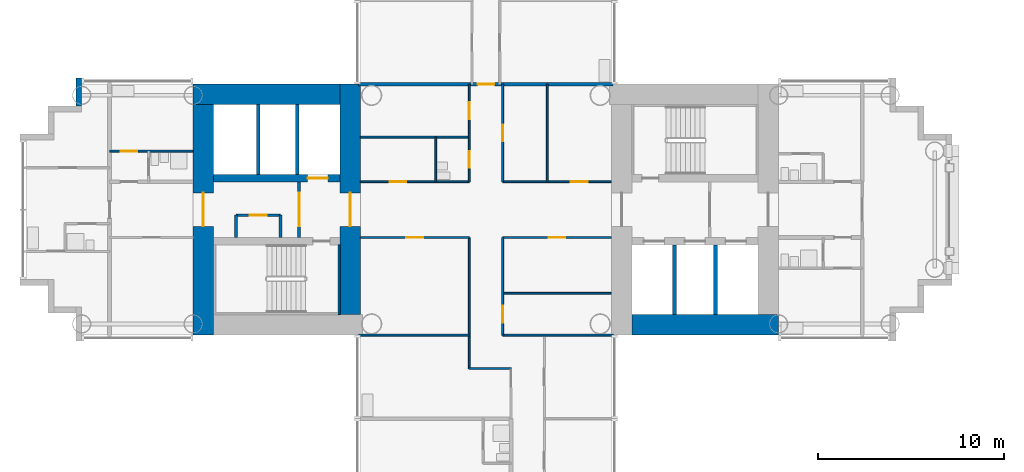
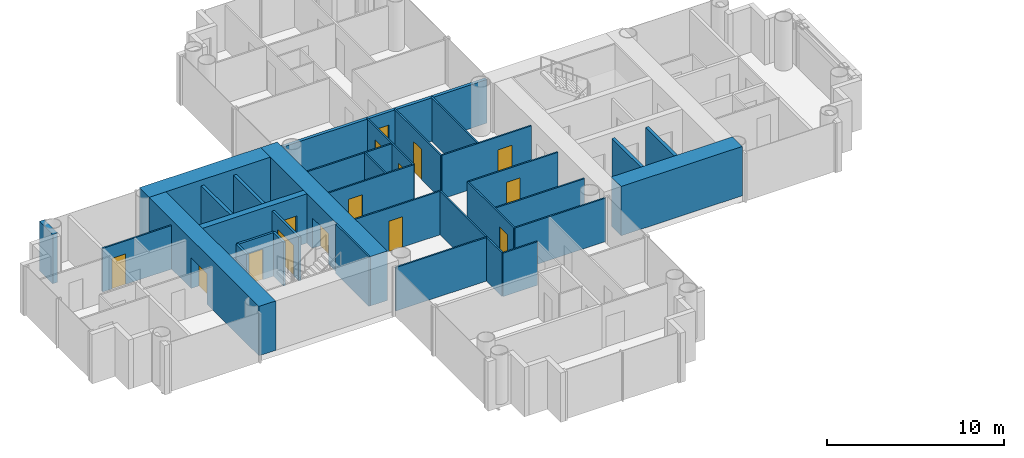
# One storey, part 10 of 22: 32 walls, 15 doors, 15 openings.
"""IFC4 building model written with IfcOpenShell, lengths in metres."""

from ifc_helpers import new_model, si_unit, direction, frame, frame_2d, origin, place, context, subcontext, project, spatial, rectangle, extrude, material, layer, layer_set, type_object, element, fill, save


model = new_model("IFC4")

# Units and contexts
model_context = context("Model", 3, precision=1e-05, world=origin(), true_north=direction((0.0, 1.0)))
body_context = subcontext(model_context, "Body", "Model", "MODEL_VIEW")
ifc_project = project(units=[si_unit("LENGTHUNIT", "METRE"), si_unit("AREAUNIT", "SQUARE_METRE"), si_unit("VOLUMEUNIT", "CUBIC_METRE"), si_unit("PLANEANGLEUNIT", "RADIAN"), si_unit("MASSUNIT", "GRAM", prefix="KILO")], contexts=[model_context])

# Site, building, storey
site_placement = place(None, origin())
site = spatial("IfcSite", under=ifc_project, at=site_placement, CompositionType="ELEMENT")
building_placement = place(site_placement, origin())
building = spatial("IfcBuilding", under=site, at=building_placement, Name="Ipe Terrace Towers", CompositionType="ELEMENT")
storey_placement = place(building_placement, frame((0.0, 0.0, 68.699951171875)))
storey = spatial("IfcBuildingStorey", under=building, at=storey_placement, Name="L18", CompositionType="ELEMENT", Elevation=68.699951171875)

# Walls
ifc_material_1 = material(Name="Concrete C40/50 with buff precast cladding", Category="concrete")
ifc_layer_1 = layer(ifc_material_1, 0.320068359375)
ifc_layer_set_1 = layer_set([ifc_layer_1], Name="BUFF CLADDING WALL 320")
wall_type_1 = type_object("IfcWallType", Name="BUFF CLADDING WALL 320", PredefinedType="STANDARD", material=ifc_layer_set_1)
wall_1_placement = place(storey_placement, frame((-57.909912109375, 7.070068359375, -0.300048828125), z_axis=(0.0, 0.0, 1.0), x_axis=(0.0, -1.0, 0.0)))
element("IfcWall", 1, at=wall_1_placement, inside=storey, type_object=wall_type_1, Name="T1-W-L18-47a wall", PredefinedType="STANDARD", context=body_context, shape_type="SweptSolid", body=[
    extrude(rectangle(XDim=1.5, YDim=0.320068359375, at=frame_2d((0.75, 0.0))), origin(), (0.0, 0.0, 1.0), 3.400146484375),
])
ifc_material_2 = material(Name="Gypsum board partition", Category="plasterboard")
ifc_layer_2 = layer(ifc_material_2, 0.10009765625)
ifc_layer_set_2 = layer_set([ifc_layer_2], Name="Gypsum board partition 100 mm")
wall_type_2 = type_object("IfcWallType", Name="Gypsum board partition 100 mm", PredefinedType="PARTITIONING", material=ifc_layer_set_2)
wall_2_placement = place(storey_placement, frame((-38.699951171875, 1.5, 0.0), z_axis=(0.0, 0.0, 1.0), x_axis=(0.0, 1.0, 0.0)))
element("IfcWall", 2, at=wall_2_placement, inside=storey, type_object=wall_type_2, Name="Gypsum board partition T1 L18 W04", PredefinedType="PARTITIONING", context=body_context, shape_type="SweptSolid", body=[
    extrude(rectangle(XDim=2.39990234375, YDim=0.10009765625, at=frame_2d((1.199951171875, 0.0))), origin(), (0.0, 0.0, 1.0), 3.0),
])
wall_3_placement = place(storey_placement, frame((-36.89990234375, -8.550048828125, 0.0), z_axis=(0.0, 0.0, 1.0), x_axis=(0.0, 1.0, 0.0)))
element("IfcWall", 3, at=wall_3_placement, inside=storey, type_object=wall_type_2, Name="Gypsum board partition T1 L18 W06", PredefinedType="PARTITIONING", context=body_context, shape_type="SweptSolid", body=[
    extrude(rectangle(XDim=7.050048828125, YDim=0.10009765625, at=frame_2d((3.52490234375, 0.0))), origin(), (0.0, 0.0, 1.0), 3.0),
])

# Wall, openings, doors
wall_4_placement = place(storey_placement, frame((-36.89990234375, 1.5, 0.0), z_axis=(0.0, 0.0, 1.0), x_axis=(0.0, 1.0, 0.0)))
wall_4 = element("IfcWall", 4, at=wall_4_placement, inside=storey, type_object=wall_type_2, Name="Gypsum board partition T1 L18 W07", PredefinedType="PARTITIONING", context=body_context, shape_type="SweptSolid", body=[
    extrude(rectangle(XDim=5.25, YDim=0.10009765625, at=frame_2d((2.625, 0.0))), origin(), (0.0, 0.0, 1.0), 3.0),
])
opening_1_placement = place(wall_4_placement, frame((0.75, 0.0, 0.0)))
opening_1 = element("IfcOpeningElement", 5, at=opening_1_placement, cuts=wall_4, Name="Opening T1-Z1F-01", PredefinedType="OPENING", context=body_context, shape_type="SweptSolid", body=[
    extrude(rectangle(XDim=0.89990234375, YDim=2.10009765625, at=frame_2d((0.449951171875, 1.050048828125))), frame((0.0, 0.06005859375, 0.0), z_axis=(0.0, -1.0, 0.0), x_axis=(1.0, 0.0, 0.0)), (0.0, 0.0, 1.0), 0.1201171875),
])
opening_2_placement = place(wall_4_placement, frame((3.375, 0.0, 0.0)))
opening_2 = element("IfcOpeningElement", 6, at=opening_2_placement, cuts=wall_4, Name="Opening T1-Z1F-05", PredefinedType="OPENING", context=body_context, shape_type="SweptSolid", body=[
    extrude(rectangle(XDim=0.89990234375, YDim=2.10009765625, at=frame_2d((0.449951171875, 1.050048828125))), frame((0.0, 0.06005859375, 0.0), z_axis=(0.0, -1.0, 0.0), x_axis=(1.0, 0.0, 0.0)), (0.0, 0.0, 1.0), 0.1201171875),
])
ifc_material_3 = material(Name="Timber door leaf", Category="wood")
door_type_1 = type_object("IfcDoorType", Name="Bathroom door 900 x 2100", OperationType="NOTDEFINED", PredefinedType="DOOR", material=ifc_material_3)
door_1_placement = place(opening_1_placement, origin())
door_1 = element("IfcDoor", 7, at=door_1_placement, inside=storey, type_object=door_type_1, Name="Bathroom door T1-Z1F-01", OperationType="SINGLE_SWING_RIGHT", OverallHeight=2.10009765625, OverallWidth=0.89990234375, PredefinedType="DOOR", context=body_context, shape_type="SweptSolid", body=[
    extrude(rectangle(XDim=0.89990234375, YDim=2.10009765625, at=frame_2d((0.449951171875, 1.050048828125))), frame((0.0, 0.02490234375, 0.0), z_axis=(0.0, -1.0, 0.0), x_axis=(1.0, 0.0, 0.0)), (0.0, 0.0, 1.0), 0.050048828125),
])
fill(opening_1, door_1)
ifc_material_4 = material(Name="Timber door leaf", Category="wood")
door_type_2 = type_object("IfcDoorType", Name="Lounge door 900 x 2100", OperationType="NOTDEFINED", PredefinedType="DOOR", material=ifc_material_4)
door_2_placement = place(opening_2_placement, origin())
door_2 = element("IfcDoor", 8, at=door_2_placement, inside=storey, type_object=door_type_2, Name="Lounge door T1-Z1F-05", OperationType="SINGLE_SWING_LEFT", OverallHeight=2.10009765625, OverallWidth=0.89990234375, PredefinedType="DOOR", context=body_context, shape_type="SweptSolid", body=[
    extrude(rectangle(XDim=0.89990234375, YDim=2.10009765625, at=frame_2d((0.449951171875, 1.050048828125))), frame((0.0, 0.02490234375, 0.0), z_axis=(0.0, -1.0, 0.0), x_axis=(1.0, 0.0, 0.0)), (0.0, 0.0, 1.0), 0.050048828125),
])
fill(opening_2, door_2)

# Wall, opening, door
wall_5_placement = place(storey_placement, frame((-35.10009765625, -6.75, 0.0), z_axis=(0.0, 0.0, 1.0), x_axis=(0.0, 1.0, 0.0)))
wall_5 = element("IfcWall", 9, at=wall_5_placement, inside=storey, type_object=wall_type_2, Name="Gypsum board partition T1 L18 W11", PredefinedType="PARTITIONING", context=body_context, shape_type="SweptSolid", body=[
    extrude(rectangle(XDim=5.25, YDim=0.10009765625, at=frame_2d((2.625, 0.0))), origin(), (0.0, 0.0, 1.0), 3.0),
])
opening_3_placement = place(wall_5_placement, frame((0.675048828125, 0.0, 0.0)))
opening_3 = element("IfcOpeningElement", 10, at=opening_3_placement, cuts=wall_5, Name="Opening T1-Z1F-08", PredefinedType="OPENING", context=body_context, shape_type="SweptSolid", body=[
    extrude(rectangle(XDim=0.89990234375, YDim=2.10009765625, at=frame_2d((0.449951171875, 1.050048828125))), frame((0.0, 0.06005859375, 0.0), z_axis=(0.0, -1.0, 0.0), x_axis=(1.0, 0.0, 0.0)), (0.0, 0.0, 1.0), 0.1201171875),
])
door_3_placement = place(opening_3_placement, origin())
door_3 = element("IfcDoor", 11, at=door_3_placement, inside=storey, type_object=door_type_2, Name="Lounge door T1-Z1F-08", OperationType="SINGLE_SWING_LEFT", OverallHeight=2.10009765625, OverallWidth=0.89990234375, PredefinedType="DOOR", context=body_context, shape_type="SweptSolid", body=[
    extrude(rectangle(XDim=0.89990234375, YDim=2.10009765625, at=frame_2d((0.449951171875, 1.050048828125))), frame((0.0, 0.02490234375, 0.0), z_axis=(0.0, -1.0, 0.0), x_axis=(1.0, 0.0, 0.0)), (0.0, 0.0, 1.0), 0.050048828125),
])
fill(opening_3, door_3)

wall_6_placement = place(storey_placement, frame((-35.10009765625, 1.5, 0.0), z_axis=(0.0, 0.0, 1.0), x_axis=(0.0, 1.0, 0.0)))
wall_6 = element("IfcWall", 12, at=wall_6_placement, inside=storey, type_object=wall_type_2, Name="Gypsum board partition T1 L18 W12", PredefinedType="PARTITIONING", context=body_context, shape_type="SweptSolid", body=[
    extrude(rectangle(XDim=5.25, YDim=0.10009765625, at=frame_2d((2.625, 0.0))), origin(), (0.0, 0.0, 1.0), 3.0),
])
opening_4_placement = place(wall_6_placement, frame((2.175048828125, 0.0, 0.0)))
opening_4 = element("IfcOpeningElement", 13, at=opening_4_placement, cuts=wall_6, Name="Opening T1-Z1F-02", PredefinedType="OPENING", context=body_context, shape_type="SweptSolid", body=[
    extrude(rectangle(XDim=0.89990234375, YDim=2.10009765625, at=frame_2d((0.449951171875, 1.050048828125))), frame((0.0, 0.06005859375, 0.0), z_axis=(0.0, -1.0, 0.0), x_axis=(1.0, 0.0, 0.0)), (0.0, 0.0, 1.0), 0.1201171875),
])
door_4_placement = place(opening_4_placement, origin())
door_4 = element("IfcDoor", 14, at=door_4_placement, inside=storey, type_object=door_type_2, Name="Lounge door T1-Z1F-02", OperationType="SINGLE_SWING_RIGHT", OverallHeight=2.10009765625, OverallWidth=0.89990234375, PredefinedType="DOOR", context=body_context, shape_type="SweptSolid", body=[
    extrude(rectangle(XDim=0.89990234375, YDim=2.10009765625, at=frame_2d((0.449951171875, 1.050048828125))), frame((0.0, 0.02490234375, 0.0), z_axis=(0.0, -1.0, 0.0), x_axis=(1.0, 0.0, 0.0)), (0.0, 0.0, 1.0), 0.050048828125),
])
fill(opening_4, door_4)

# Walls
wall_7_placement = place(storey_placement, frame((-32.699951171875, 1.5, 0.0), z_axis=(0.0, 0.0, 1.0), x_axis=(0.0, 1.0, 0.0)))
element("IfcWall", 15, at=wall_7_placement, inside=storey, type_object=wall_type_2, Name="Gypsum board partition T1 L18 W17", PredefinedType="PARTITIONING", context=body_context, shape_type="SweptSolid", body=[
    extrude(rectangle(XDim=5.25, YDim=0.10009765625, at=frame_2d((2.625, 0.0))), origin(), (0.0, 0.0, 1.0), 3.0),
])
wall_8_placement = place(storey_placement, frame((-36.89990234375, -8.550048828125, 0.0), z_axis=(0.0, 0.0, 1.0), x_axis=(1.0, 0.0, 0.0)))
element("IfcWall", 16, at=wall_8_placement, inside=storey, type_object=wall_type_2, Name="Gypsum board partition T1 L18 W28", PredefinedType="PARTITIONING", context=body_context, shape_type="SweptSolid", body=[
    extrude(rectangle(XDim=2.25, YDim=0.10009765625, at=frame_2d((1.125, 0.0))), origin(), (0.0, 0.0, 1.0), 3.0),
])
for number, where, z_axis, x_axis, name in (
    (17, (-42.85009765625, -6.75, 0.0), (0.0, 0.0, 1.0), (1.0, 0.0, 0.0), "Gypsum board partition T1 L18 W29"),
    (18, (-35.10009765625, -6.75, 0.0), (0.0, 0.0, 1.0), (1.0, 0.0, 0.0), "Gypsum board partition T1 L18 W30"),
):
    element("IfcWall", number, at=place(storey_placement, frame(where, z_axis=z_axis, x_axis=x_axis)), inside=storey, type_object=wall_type_2, Name=name, PredefinedType="PARTITIONING", context=body_context, shape_type="SweptSolid", body=[
        extrude(rectangle(XDim=5.9501953125, YDim=0.10009765625, at=frame_2d((2.97509765625, 0.0))), origin(), (0.0, 0.0, 1.0), 3.0),
    ])
wall_9_placement = place(storey_placement, frame((-35.10009765625, -4.5, 0.0), z_axis=(0.0, 0.0, 1.0), x_axis=(1.0, 0.0, 0.0)))
element("IfcWall", 19, at=wall_9_placement, inside=storey, type_object=wall_type_2, Name="Gypsum board partition T1 L18 W31", PredefinedType="PARTITIONING", context=body_context, shape_type="SweptSolid", body=[
    extrude(rectangle(XDim=5.85009765625, YDim=0.10009765625, at=frame_2d((2.925048828125, 0.0))), origin(), (0.0, 0.0, 1.0), 3.0),
])

# Wall, opening, door
wall_10_placement = place(storey_placement, frame((-42.75, -1.5, 0.0), z_axis=(0.0, 0.0, 1.0), x_axis=(1.0, 0.0, 0.0)))
wall_10 = element("IfcWall", 20, at=wall_10_placement, inside=storey, type_object=wall_type_2, Name="Gypsum board partition T1 L18 W35", PredefinedType="PARTITIONING", context=body_context, shape_type="SweptSolid", body=[
    extrude(rectangle(XDim=5.85009765625, YDim=0.10009765625, at=frame_2d((2.925048828125, 0.0))), origin(), (0.0, 0.0, 1.0), 3.0),
])
opening_5_placement = place(wall_10_placement, frame((2.47509765625, 0.0, 0.0)))
opening_5 = element("IfcOpeningElement", 21, at=opening_5_placement, cuts=wall_10, Name="Opening T1-Z1F-06", PredefinedType="OPENING", context=body_context, shape_type="SweptSolid", body=[
    extrude(rectangle(XDim=0.89990234375, YDim=2.10009765625, at=frame_2d((0.449951171875, 1.050048828125))), frame((0.0, 0.06005859375, 0.0), z_axis=(0.0, -1.0, 0.0), x_axis=(1.0, 0.0, 0.0)), (0.0, 0.0, 1.0), 0.1201171875),
])
door_5_placement = place(opening_5_placement, origin())
door_5 = element("IfcDoor", 22, at=door_5_placement, inside=storey, type_object=door_type_2, Name="Lounge door T1-Z1F-06", OperationType="SINGLE_SWING_LEFT", OverallHeight=2.10009765625, OverallWidth=0.89990234375, PredefinedType="DOOR", context=body_context, shape_type="SweptSolid", body=[
    extrude(rectangle(XDim=0.89990234375, YDim=2.10009765625, at=frame_2d((0.449951171875, 1.050048828125))), frame((0.0, 0.02490234375, 0.0), z_axis=(0.0, -1.0, 0.0), x_axis=(1.0, 0.0, 0.0)), (0.0, 0.0, 1.0), 0.050048828125),
])
fill(opening_5, door_5)

wall_11_placement = place(storey_placement, frame((-35.10009765625, -1.5, 0.0), z_axis=(0.0, 0.0, 1.0), x_axis=(1.0, 0.0, 0.0)))
wall_11 = element("IfcWall", 23, at=wall_11_placement, inside=storey, type_object=wall_type_2, Name="Gypsum board partition T1 L18 W36", PredefinedType="PARTITIONING", context=body_context, shape_type="SweptSolid", body=[
    extrude(rectangle(XDim=5.85009765625, YDim=0.10009765625, at=frame_2d((2.925048828125, 0.0))), origin(), (0.0, 0.0, 1.0), 3.0),
])
opening_6_placement = place(wall_11_placement, frame((2.47509765625, 0.0, 0.0)))
opening_6 = element("IfcOpeningElement", 24, at=opening_6_placement, cuts=wall_11, Name="Opening T1-Z1F-07", PredefinedType="OPENING", context=body_context, shape_type="SweptSolid", body=[
    extrude(rectangle(XDim=0.89990234375, YDim=2.10009765625, at=frame_2d((0.449951171875, 1.050048828125))), frame((0.0, 0.06005859375, 0.0), z_axis=(0.0, -1.0, 0.0), x_axis=(1.0, 0.0, 0.0)), (0.0, 0.0, 1.0), 0.1201171875),
])
door_6_placement = place(opening_6_placement, origin())
door_6 = element("IfcDoor", 25, at=door_6_placement, inside=storey, type_object=door_type_2, Name="Lounge door T1-Z1F-07", OperationType="SINGLE_SWING_RIGHT", OverallHeight=2.10009765625, OverallWidth=0.89990234375, PredefinedType="DOOR", context=body_context, shape_type="SweptSolid", body=[
    extrude(rectangle(XDim=0.89990234375, YDim=2.10009765625, at=frame_2d((0.449951171875, 1.050048828125))), frame((0.0, 0.02490234375, 0.0), z_axis=(0.0, -1.0, 0.0), x_axis=(1.0, 0.0, 0.0)), (0.0, 0.0, 1.0), 0.050048828125),
])
fill(opening_6, door_6)

wall_12_placement = place(storey_placement, frame((-42.75, 1.5, 0.0), z_axis=(0.0, 0.0, 1.0), x_axis=(1.0, 0.0, 0.0)))
wall_12 = element("IfcWall", 26, at=wall_12_placement, inside=storey, type_object=wall_type_2, Name="Gypsum board partition T1 L18 W39", PredefinedType="PARTITIONING", context=body_context, shape_type="SweptSolid", body=[
    extrude(rectangle(XDim=5.85009765625, YDim=0.10009765625, at=frame_2d((2.925048828125, 0.0))), origin(), (0.0, 0.0, 1.0), 3.0),
])
opening_7_placement = place(wall_12_placement, frame((1.574951171875, 0.0, 0.0)))
opening_7 = element("IfcOpeningElement", 27, at=opening_7_placement, cuts=wall_12, Name="Opening T1-Z1F-04", PredefinedType="OPENING", context=body_context, shape_type="SweptSolid", body=[
    extrude(rectangle(XDim=0.89990234375, YDim=2.10009765625, at=frame_2d((0.449951171875, 1.050048828125))), frame((0.0, 0.06005859375, 0.0), z_axis=(0.0, -1.0, 0.0), x_axis=(1.0, 0.0, 0.0)), (0.0, 0.0, 1.0), 0.1201171875),
])
door_7_placement = place(opening_7_placement, origin())
door_7 = element("IfcDoor", 28, at=door_7_placement, inside=storey, type_object=door_type_2, Name="Lounge door T1-Z1F-04", OperationType="SINGLE_SWING_RIGHT", OverallHeight=2.10009765625, OverallWidth=0.89990234375, PredefinedType="DOOR", context=body_context, shape_type="SweptSolid", body=[
    extrude(rectangle(XDim=0.89990234375, YDim=2.10009765625, at=frame_2d((0.449951171875, 1.050048828125))), frame((0.0, 0.02490234375, 0.0), z_axis=(0.0, -1.0, 0.0), x_axis=(1.0, 0.0, 0.0)), (0.0, 0.0, 1.0), 0.050048828125),
])
fill(opening_7, door_7)

wall_13_placement = place(storey_placement, frame((-35.10009765625, 1.5, 0.0), z_axis=(0.0, 0.0, 1.0), x_axis=(1.0, 0.0, 0.0)))
wall_13 = element("IfcWall", 29, at=wall_13_placement, inside=storey, type_object=wall_type_2, Name="Gypsum board partition T1 L18 W40", PredefinedType="PARTITIONING", context=body_context, shape_type="SweptSolid", body=[
    extrude(rectangle(XDim=5.85009765625, YDim=0.10009765625, at=frame_2d((2.925048828125, 0.0))), origin(), (0.0, 0.0, 1.0), 3.0),
])
opening_8_placement = place(wall_13_placement, frame((3.675048828125, 0.0, 0.0)))
opening_8 = element("IfcOpeningElement", 30, at=opening_8_placement, cuts=wall_13, Name="Opening T1-Z1F-03", PredefinedType="OPENING", context=body_context, shape_type="SweptSolid", body=[
    extrude(rectangle(XDim=0.89990234375, YDim=2.10009765625, at=frame_2d((0.449951171875, 1.050048828125))), frame((0.0, 0.06005859375, 0.0), z_axis=(0.0, -1.0, 0.0), x_axis=(1.0, 0.0, 0.0)), (0.0, 0.0, 1.0), 0.1201171875),
])
door_8_placement = place(opening_8_placement, origin())
door_8 = element("IfcDoor", 31, at=door_8_placement, inside=storey, type_object=door_type_2, Name="Lounge door T1-Z1F-03", OperationType="SINGLE_SWING_LEFT", OverallHeight=2.10009765625, OverallWidth=0.89990234375, PredefinedType="DOOR", context=body_context, shape_type="SweptSolid", body=[
    extrude(rectangle(XDim=0.89990234375, YDim=2.10009765625, at=frame_2d((0.449951171875, 1.050048828125))), frame((0.0, 0.02490234375, 0.0), z_axis=(0.0, -1.0, 0.0), x_axis=(1.0, 0.0, 0.0)), (0.0, 0.0, 1.0), 0.050048828125),
])
fill(opening_8, door_8)

wall_14_placement = place(storey_placement, frame((-56.25, 3.14990234375, 0.0), z_axis=(0.0, 0.0, 1.0), x_axis=(1.0, 0.0, 0.0)))
wall_14 = element("IfcWall", 32, at=wall_14_placement, inside=storey, type_object=wall_type_2, Name="Gypsum board partition T1 L18 W45", PredefinedType="PARTITIONING", context=body_context, shape_type="SweptSolid", body=[
    extrude(rectangle(XDim=4.5, YDim=0.10009765625, at=frame_2d((2.25, 0.0))), origin(), (0.0, 0.0, 1.0), 3.0),
])
opening_9_placement = place(wall_14_placement, frame((0.60009765625, 0.0, 0.0)))
opening_9 = element("IfcOpeningElement", 33, at=opening_9_placement, cuts=wall_14, Name="Opening T1-Z1F-33", PredefinedType="OPENING", context=body_context, shape_type="SweptSolid", body=[
    extrude(rectangle(XDim=0.89990234375, YDim=2.10009765625, at=frame_2d((0.449951171875, 1.050048828125))), frame((0.0, 0.06005859375, 0.0), z_axis=(0.0, -1.0, 0.0), x_axis=(1.0, 0.0, 0.0)), (0.0, 0.0, 1.0), 0.1201171875),
])
ifc_material_5 = material(Name="Timber door leaf", Category="wood")
door_type_3 = type_object("IfcDoorType", Name="Bedroom door 900 x 2100", OperationType="NOTDEFINED", PredefinedType="DOOR", material=ifc_material_5)
door_9_placement = place(opening_9_placement, origin())
door_9 = element("IfcDoor", 34, at=door_9_placement, inside=storey, type_object=door_type_3, Name="Bedroom door T1-Z1F-33", OperationType="SINGLE_SWING_RIGHT", OverallHeight=2.10009765625, OverallWidth=0.89990234375, PredefinedType="DOOR", context=body_context, shape_type="SweptSolid", body=[
    extrude(rectangle(XDim=0.89990234375, YDim=2.10009765625, at=frame_2d((0.449951171875, 1.050048828125))), frame((0.0, 0.02490234375, 0.0), z_axis=(0.0, -1.0, 0.0), x_axis=(1.0, 0.0, 0.0)), (0.0, 0.0, 1.0), 0.050048828125),
])
fill(opening_9, door_9)

# Wall
wall_15_placement = place(storey_placement, frame((-42.75, 3.89990234375, 0.0), z_axis=(0.0, 0.0, 1.0), x_axis=(1.0, 0.0, 0.0)))
element("IfcWall", 35, at=wall_15_placement, inside=storey, type_object=wall_type_2, Name="Gypsum board partition T1 L18 W46", PredefinedType="PARTITIONING", context=body_context, shape_type="SweptSolid", body=[
    extrude(rectangle(XDim=5.85009765625, YDim=0.10009765625, at=frame_2d((2.925048828125, 0.0))), origin(), (0.0, 0.0, 1.0), 3.0),
])

# Wall, opening, door
ifc_material_6 = material(Name="Gypsum board partition", Category="plasterboard")
ifc_layer_3 = layer(ifc_material_6, 0.14990234375)
ifc_layer_set_3 = layer_set([ifc_layer_3], Name="Gypsum board partition 150 mm")
wall_type_3 = type_object("IfcWallType", Name="Gypsum board partition 150 mm", PredefinedType="PARTITIONING", material=ifc_layer_set_3)
wall_16_placement = place(storey_placement, frame((-46.050048828125, 1.5, 0.0), z_axis=(0.0, 0.0, 1.0), x_axis=(0.0, -1.0, 0.0)))
wall_16 = element("IfcWall", 36, at=wall_16_placement, inside=storey, type_object=wall_type_3, Name="Gypsum board partition T1 L18 t1c2-lobby-wall", PredefinedType="PARTITIONING", context=body_context, shape_type="SweptSolid", body=[
    extrude(rectangle(XDim=3.0, YDim=0.14990234375, at=frame_2d((1.5, 0.0))), origin(), (0.0, 0.0, 1.0), 3.0),
])
opening_10_placement = place(wall_16_placement, frame((0.60009765625, 0.0, 0.0)))
opening_10 = element("IfcOpeningElement", 37, at=opening_10_placement, cuts=wall_16, Name="Opening T1C2-VD", PredefinedType="OPENING", context=body_context, shape_type="SweptSolid", body=[
    extrude(rectangle(XDim=1.800048828125, YDim=2.10009765625, at=frame_2d((0.89990234375, 1.050048828125))), frame((0.0, 0.0849609375, 0.0), z_axis=(0.0, -1.0, 0.0), x_axis=(1.0, 0.0, 0.0)), (0.0, 0.0, 1.0), 0.169921875),
])
ifc_material_7 = material(Name="Fire-rated timber door leaf", Category="wood")
door_type_4 = type_object("IfcDoorType", Name="Lobby door 1800 x 2100 FD60", OperationType="NOTDEFINED", PredefinedType="DOOR", material=ifc_material_7)
door_10_placement = place(opening_10_placement, origin())
door_10 = element("IfcDoor", 38, at=door_10_placement, inside=storey, type_object=door_type_4, Name="Lobby door T1C2-VD", OperationType="SINGLE_SWING_LEFT", OverallHeight=2.10009765625, OverallWidth=1.800048828125, PredefinedType="DOOR", context=body_context, shape_type="SweptSolid", body=[
    extrude(rectangle(XDim=1.800048828125, YDim=2.10009765625, at=frame_2d((0.89990234375, 1.050048828125))), frame((0.0, 0.02490234375, 0.0), z_axis=(0.0, -1.0, 0.0), x_axis=(1.0, 0.0, 0.0)), (0.0, 0.0, 1.0), 0.050048828125),
])
fill(opening_10, door_10)

wall_17_placement = place(storey_placement, frame((-47.050048828125, -0.300048828125, 0.0), z_axis=(0.0, 0.0, 1.0), x_axis=(-1.0, 0.0, 0.0)))
wall_17 = element("IfcWall", 39, at=wall_17_placement, inside=storey, type_object=wall_type_3, Name="Gypsum board partition T1 L18 t1c2-cup-n-f", PredefinedType="PARTITIONING", context=body_context, shape_type="SweptSolid", body=[
    extrude(rectangle(XDim=2.39990234375, YDim=0.14990234375, at=frame_2d((1.199951171875, 0.0))), origin(), (0.0, 0.0, 1.0), 3.0),
])
opening_11_placement = place(wall_17_placement, frame((0.75, 0.0, 0.0)))
opening_11 = element("IfcOpeningElement", 40, at=opening_11_placement, cuts=wall_17, Name="Opening T1C2-SR", PredefinedType="OPENING", context=body_context, shape_type="SweptSolid", body=[
    extrude(rectangle(XDim=0.89990234375, YDim=2.10009765625, at=frame_2d((0.449951171875, 1.050048828125))), frame((0.0, 0.0849609375, 0.0), z_axis=(0.0, -1.0, 0.0), x_axis=(1.0, 0.0, 0.0)), (0.0, 0.0, 1.0), 0.169921875),
])
ifc_material_8 = material(Name="Fire-rated timber door leaf", Category="wood")
door_type_5 = type_object("IfcDoorType", Name="Service door 900 x 2100 FD60", OperationType="NOTDEFINED", PredefinedType="DOOR", material=ifc_material_8)
door_11_placement = place(opening_11_placement, origin())
door_11 = element("IfcDoor", 41, at=door_11_placement, inside=storey, type_object=door_type_5, Name="Service door T1C2-SR", OperationType="SINGLE_SWING_LEFT", OverallHeight=2.10009765625, OverallWidth=0.89990234375, PredefinedType="DOOR", context=body_context, shape_type="SweptSolid", body=[
    extrude(rectangle(XDim=0.89990234375, YDim=2.10009765625, at=frame_2d((0.449951171875, 1.050048828125))), frame((0.0, 0.02490234375, 0.0), z_axis=(0.0, -1.0, 0.0), x_axis=(1.0, 0.0, 0.0)), (0.0, 0.0, 1.0), 0.050048828125),
])
fill(opening_11, door_11)

# Walls
for number, where, z_axis, x_axis, name in (
    (42, (-47.050048828125, -0.300048828125, 0.0), (0.0, 0.0, 1.0), (0.0, -1.0, 0.0), "Gypsum board partition T1 L18 t1c2-cup-n-a"),
    (43, (-49.449951171875, -0.300048828125, 0.0), (0.0, 0.0, 1.0), (0.0, -1.0, 0.0), "Gypsum board partition T1 L18 t1c2-cup-n-b"),
):
    element("IfcWall", number, at=place(storey_placement, frame(where, z_axis=z_axis, x_axis=x_axis)), inside=storey, type_object=wall_type_3, Name=name, PredefinedType="PARTITIONING", context=body_context, shape_type="SweptSolid", body=[
        extrude(rectangle(XDim=1.199951171875, YDim=0.14990234375, at=frame_2d((0.60009765625, 0.0))), origin(), (0.0, 0.0, 1.0), 3.0),
    ])
ifc_material_9 = material(Name="Gypsum board party wall", Category="plasterboard")
ifc_layer_4 = layer(ifc_material_9, 0.199951171875)
ifc_layer_set_4 = layer_set([ifc_layer_4], Name="Gypsum board party wall 200 mm")
wall_type_4 = type_object("IfcWallType", Name="Gypsum board party wall 200 mm", PredefinedType="SOLIDWALL", material=ifc_layer_set_4)
for number, where, z_axis, x_axis, name in (
    (44, (-25.85009765625, -5.64990234375, 0.0), (0.0, 0.0, 1.0), (0.0, 1.0, 0.0), "Gypsum board party wall T1 L18 t1c1-shaft-div1"),
    (45, (-23.64990234375, -5.64990234375, 0.0), (0.0, 0.0, 1.0), (0.0, 1.0, 0.0), "Gypsum board party wall T1 L18 t1c1-shaft-div2"),
    (46, (-46.14990234375, 5.64990234375, 0.0), (0.0, 0.0, 1.0), (0.0, -1.0, 0.0), "Gypsum board party wall T1 L18 t1c2-shaft-div1"),
    (47, (-48.25, 5.64990234375, 0.0), (0.0, 0.0, 1.0), (0.0, -1.0, 0.0), "Gypsum board party wall T1 L18 t1c2-shaft-div2"),
):
    element("IfcWall", number, at=place(storey_placement, frame(where, z_axis=z_axis, x_axis=x_axis)), inside=storey, type_object=wall_type_4, Name=name, PredefinedType="SOLIDWALL", context=body_context, shape_type="SweptSolid", body=[
        extrude(rectangle(XDim=3.75, YDim=0.199951171875, at=frame_2d((1.875, 0.0))), origin(), (0.0, 0.0, 1.0), 3.0),
    ])

# Wall, opening, door
wall_18_placement = place(storey_placement, frame((-42.85009765625, 6.75, 0.0), z_axis=(0.0, 0.0, 1.0), x_axis=(1.0, 0.0, 0.0)))
wall_18 = element("IfcWall", 48, at=wall_18_placement, inside=storey, type_object=wall_type_4, Name="Gypsum board party wall T1 L18 W47", PredefinedType="SOLIDWALL", context=body_context, shape_type="SweptSolid", body=[
    extrude(rectangle(XDim=13.7001953125, YDim=0.199951171875, at=frame_2d((6.85009765625, 0.0))), origin(), (0.0, 0.0, 1.0), 3.0),
])
opening_12_placement = place(wall_18_placement, frame((6.39990234375, 0.0, 0.0)))
opening_12 = element("IfcOpeningElement", 49, at=opening_12_placement, cuts=wall_18, Name="Opening T1-Z1F-11", PredefinedType="OPENING", context=body_context, shape_type="SweptSolid", body=[
    extrude(rectangle(XDim=0.89990234375, YDim=2.10009765625, at=frame_2d((0.449951171875, 1.050048828125))), frame((0.0, 0.10986328125, 0.0), z_axis=(0.0, -1.0, 0.0), x_axis=(1.0, 0.0, 0.0)), (0.0, 0.0, 1.0), 0.219970703125),
])
ifc_material_10 = material(Name="Fire-rated timber door leaf", Category="wood")
door_type_6 = type_object("IfcDoorType", Name="Flat entrance door 900 x 2100 FD30S", OperationType="NOTDEFINED", PredefinedType="DOOR", material=ifc_material_10)
door_12_placement = place(opening_12_placement, origin())
door_12 = element("IfcDoor", 50, at=door_12_placement, inside=storey, type_object=door_type_6, Name="Flat entrance door T1-Z1F-11", OperationType="SINGLE_SWING_LEFT", OverallHeight=2.10009765625, OverallWidth=0.89990234375, PredefinedType="DOOR", context=body_context, shape_type="SweptSolid", body=[
    extrude(rectangle(XDim=0.89990234375, YDim=2.10009765625, at=frame_2d((0.449951171875, 1.050048828125))), frame((0.0, 0.02490234375, 0.0), z_axis=(0.0, -1.0, 0.0), x_axis=(1.0, 0.0, 0.0)), (0.0, 0.0, 1.0), 0.050048828125),
])
fill(opening_12, door_12)

# Walls
ifc_material_11 = material(Name="Concrete C60/75", Category="concrete")
ifc_layer_5 = layer(ifc_material_11, 0.10009765625)
ifc_layer_set_5 = layer_set([ifc_layer_5], Name="RW100 CORE INFILL WALL 100 C60-75")
wall_type_5 = type_object("IfcWallType", Name="RW100 CORE INFILL WALL 100 C60-75", PredefinedType="SHEAR", material=ifc_layer_set_5)
wall_19_placement = place(storey_placement, frame((-43.89990234375, -1.89990234375, 0.0), z_axis=(0.0, 0.0, 1.0), x_axis=(0.0, -1.0, 0.0)))
element("IfcWall", 51, at=wall_19_placement, inside=storey, type_object=wall_type_5, Name="Core infill wall T1-C2-near", PredefinedType="SHEAR", context=body_context, shape_type="SweptSolid", body=[
    extrude(rectangle(XDim=3.75, YDim=0.10009765625, at=frame_2d((1.875, 0.0))), origin(), (0.0, 0.0, 1.0), 3.400146484375),
])
ifc_material_12 = material(Name="Concrete C60/75", Category="concrete")
ifc_layer_6 = layer(ifc_material_12, 1.10009765625)
ifc_layer_set_6 = layer_set([ifc_layer_6], Name="RW1100 CORE WALL 1100 C60-75")
wall_type_6 = type_object("IfcWallType", Name="RW1100 CORE WALL 1100 C60-75", PredefinedType="SHEAR", material=ifc_layer_set_6)
wall_20_placement = place(storey_placement, frame((-28.14990234375, -6.199951171875, 0.0), z_axis=(0.0, 0.0, 1.0), x_axis=(1.0, 0.0, 0.0)))
element("IfcWall", 52, at=wall_20_placement, inside=storey, type_object=wall_type_6, Name="Core wall T1-C1-Z1-W01", PredefinedType="SHEAR", context=body_context, shape_type="SweptSolid", body=[
    extrude(rectangle(XDim=7.89990234375, YDim=1.10009765625, at=frame_2d((3.949951171875, 0.0))), origin(), (0.0, 0.0, 1.0), 3.400146484375),
])

# Wall, opening, door
wall_21_placement = place(storey_placement, frame((-43.300048828125, -5.64990234375, 0.0), z_axis=(0.0, 0.0, 1.0), x_axis=(0.0, 1.0, 0.0)))
wall_21 = element("IfcWall", 53, at=wall_21_placement, inside=storey, type_object=wall_type_6, Name="Core wall T1-C2-Z1-W02", PredefinedType="SHEAR", context=body_context, shape_type="SweptSolid", body=[
    extrude(rectangle(XDim=12.39990234375, YDim=1.10009765625, at=frame_2d((6.199951171875, 0.0))), origin(), (0.0, 0.0, 1.0), 3.400146484375),
])
opening_13_placement = place(wall_21_placement, frame((4.75, 0.0, 0.0)))
opening_13 = element("IfcOpeningElement", 54, at=opening_13_placement, cuts=wall_21, Name="Opening T1C2-ND", PredefinedType="OPENING", context=body_context, shape_type="SweptSolid", body=[
    extrude(rectangle(XDim=1.800048828125, YDim=2.10009765625, at=frame_2d((0.89990234375, 1.050048828125))), frame((0.0, 0.56005859375, 0.0), z_axis=(0.0, -1.0, 0.0), x_axis=(1.0, 0.0, 0.0)), (0.0, 0.0, 1.0), 1.1201171875),
])
ifc_material_13 = material(Name="Fire-rated timber door leaf", Category="wood")
door_type_7 = type_object("IfcDoorType", Name="Fire door 1800 x 2100 FD30S", OperationType="NOTDEFINED", PredefinedType="DOOR", material=ifc_material_13)
door_13_placement = place(opening_13_placement, origin())
door_13 = element("IfcDoor", 55, at=door_13_placement, inside=storey, type_object=door_type_7, Name="Fire door T1C2-ND", OperationType="SINGLE_SWING_LEFT", OverallHeight=2.10009765625, OverallWidth=1.800048828125, PredefinedType="DOOR", context=body_context, shape_type="SweptSolid", body=[
    extrude(rectangle(XDim=1.800048828125, YDim=2.10009765625, at=frame_2d((0.89990234375, 1.050048828125))), frame((0.0, 0.02490234375, 0.0), z_axis=(0.0, -1.0, 0.0), x_axis=(1.0, 0.0, 0.0)), (0.0, 0.0, 1.0), 0.050048828125),
])
fill(opening_13, door_13)

# Wall
wall_22_placement = place(storey_placement, frame((-43.85009765625, 6.199951171875, 0.0), z_axis=(0.0, 0.0, 1.0), x_axis=(-1.0, 0.0, 0.0)))
element("IfcWall", 56, at=wall_22_placement, inside=storey, type_object=wall_type_6, Name="Core wall T1-C2-Z1-W03", PredefinedType="SHEAR", context=body_context, shape_type="SweptSolid", body=[
    extrude(rectangle(XDim=7.89990234375, YDim=1.10009765625, at=frame_2d((3.949951171875, 0.0))), origin(), (0.0, 0.0, 1.0), 3.400146484375),
])

# Wall, opening, door
wall_23_placement = place(storey_placement, frame((-51.199951171875, 5.64990234375, 0.0), z_axis=(0.0, 0.0, 1.0), x_axis=(0.0, -1.0, 0.0)))
wall_23 = element("IfcWall", 57, at=wall_23_placement, inside=storey, type_object=wall_type_6, Name="Core wall T1-C2-Z1-W04", PredefinedType="SHEAR", context=body_context, shape_type="SweptSolid", body=[
    extrude(rectangle(XDim=12.39990234375, YDim=1.10009765625, at=frame_2d((6.199951171875, 0.0))), origin(), (0.0, 0.0, 1.0), 3.400146484375),
])
opening_14_placement = place(wall_23_placement, frame((4.75, 0.0, 0.0)))
opening_14 = element("IfcOpeningElement", 58, at=opening_14_placement, cuts=wall_23, Name="Opening T1C2-FD", PredefinedType="OPENING", context=body_context, shape_type="SweptSolid", body=[
    extrude(rectangle(XDim=1.800048828125, YDim=2.10009765625, at=frame_2d((0.89990234375, 1.050048828125))), frame((0.0, 0.56005859375, 0.0), z_axis=(0.0, -1.0, 0.0), x_axis=(1.0, 0.0, 0.0)), (0.0, 0.0, 1.0), 1.1201171875),
])
door_14_placement = place(opening_14_placement, origin())
door_14 = element("IfcDoor", 59, at=door_14_placement, inside=storey, type_object=door_type_7, Name="Fire door T1C2-FD", OperationType="SINGLE_SWING_LEFT", OverallHeight=2.10009765625, OverallWidth=1.800048828125, PredefinedType="DOOR", context=body_context, shape_type="SweptSolid", body=[
    extrude(rectangle(XDim=1.800048828125, YDim=2.10009765625, at=frame_2d((0.89990234375, 1.050048828125))), frame((0.0, 0.02490234375, 0.0), z_axis=(0.0, -1.0, 0.0), x_axis=(1.0, 0.0, 0.0)), (0.0, 0.0, 1.0), 0.050048828125),
])
fill(opening_14, door_14)

ifc_material_14 = material(Name="Concrete C60/75", Category="concrete")
ifc_layer_7 = layer(ifc_material_14, 0.39990234375)
ifc_layer_set_7 = layer_set([ifc_layer_7], Name="RW400 CORE SPINE WALL 400 C60-75")
wall_type_7 = type_object("IfcWallType", Name="RW400 CORE SPINE WALL 400 C60-75", PredefinedType="SHEAR", material=ifc_layer_set_7)
wall_24_placement = place(storey_placement, frame((-50.64990234375, 1.699951171875, 0.0), z_axis=(0.0, 0.0, 1.0), x_axis=(1.0, 0.0, 0.0)))
wall_24 = element("IfcWall", 60, at=wall_24_placement, inside=storey, type_object=wall_type_7, Name="Core spine wall T1-C2-Z1-SW2", PredefinedType="SHEAR", context=body_context, shape_type="SweptSolid", body=[
    extrude(rectangle(XDim=6.7998046875, YDim=0.39990234375, at=frame_2d((3.39990234375, 0.0))), origin(), (0.0, 0.0, 1.0), 3.400146484375),
])
opening_15_placement = place(wall_24_placement, frame((5.050048828125, 0.0, 0.0)))
opening_15 = element("IfcOpeningElement", 61, at=opening_15_placement, cuts=wall_24, Name="Opening T1C2-LD1", PredefinedType="OPENING", context=body_context, shape_type="SweptSolid", body=[
    extrude(rectangle(XDim=1.10009765625, YDim=2.10009765625, at=frame_2d((0.550048828125, 1.050048828125))), frame((0.0, 0.2099609375, 0.0), z_axis=(0.0, -1.0, 0.0), x_axis=(1.0, 0.0, 0.0)), (0.0, 0.0, 1.0), 0.419921875),
])
ifc_material_15 = material(Name="Fire-rated timber door leaf", Category="wood")
door_type_8 = type_object("IfcDoorType", Name="Sliding door 1100 x 2100 FD60", OperationType="SLIDING_TO_LEFT", PredefinedType="DOOR", material=ifc_material_15)
door_15_placement = place(opening_15_placement, origin())
door_15 = element("IfcDoor", 62, at=door_15_placement, inside=storey, type_object=door_type_8, Name="Sliding door T1C2-LD1", OperationType="SLIDING_TO_LEFT", OverallHeight=2.10009765625, OverallWidth=1.10009765625, PredefinedType="DOOR", context=body_context, shape_type="SweptSolid", body=[
    extrude(rectangle(XDim=1.10009765625, YDim=2.10009765625, at=frame_2d((0.550048828125, 1.050048828125))), frame((0.0, 0.02490234375, 0.0), z_axis=(0.0, -1.0, 0.0), x_axis=(1.0, 0.0, 0.0)), (0.0, 0.0, 1.0), 0.050048828125),
])
fill(opening_15, door_15)

save(model, "model.ifc")
